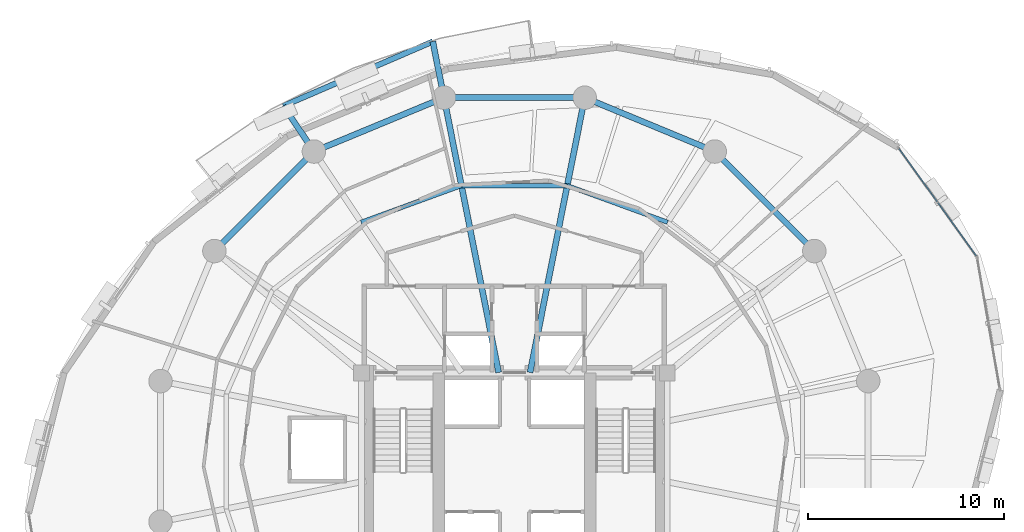
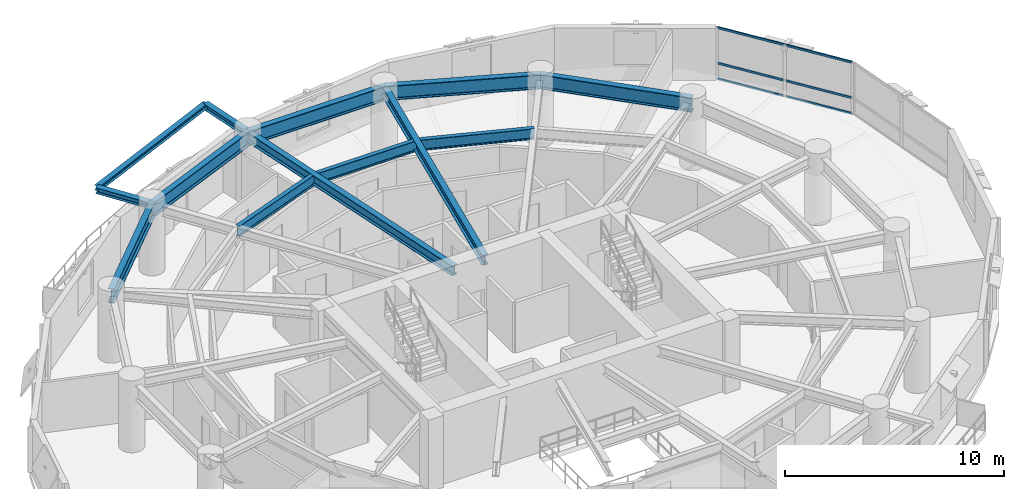
# One storey, part 7 of 14: 13 beams, 6 members, 1 element without a shape of its own.
"""IFC4 building model written with IfcOpenShell, lengths in metres."""

from ifc_helpers import new_model, si_unit, direction, frame, origin, origin_2d, place, context, subcontext, project, spatial, hollow_rectangle, i_section, extrude, material, layer, layer_set, material_profile, profile_set, type_object, element, aggregate, save


model = new_model("IFC4")

# Units and contexts
model_context = context("Model", 3, precision=1e-05, world=origin(), true_north=direction((0.0, 1.0)))
body_context = subcontext(model_context, "Body", "Model", "MODEL_VIEW")
ifc_project = project(units=[si_unit("LENGTHUNIT", "METRE"), si_unit("AREAUNIT", "SQUARE_METRE"), si_unit("VOLUMEUNIT", "CUBIC_METRE"), si_unit("PLANEANGLEUNIT", "RADIAN"), si_unit("MASSUNIT", "GRAM", prefix="KILO"), si_unit("THERMODYNAMICTEMPERATUREUNIT", "KELVIN"), si_unit("POWERUNIT", "WATT")], contexts=[model_context])

# Site, building, storey
site_placement = place(None, origin())
site = spatial("IfcSite", under=ifc_project, at=site_placement, CompositionType="ELEMENT")
building_placement = place(site_placement, origin())
building = spatial("IfcBuilding", under=site, at=building_placement, Name="Ocrelia Relay Tower", CompositionType="ELEMENT")
storey_placement = place(building_placement, frame((0.0, 0.0, 129.800048828125)))
storey = spatial("IfcBuildingStorey", under=building, at=storey_placement, Name="L30", CompositionType="ELEMENT", Elevation=129.800048828125)

# Beams
ifc_material_1 = material(Name="Steel S355", Category="steel")
ifc_material_profile_1 = material_profile(ifc_material_1, i_section(OverallWidth=0.280029296875, OverallDepth=0.27001953125, WebThickness=0.008056640625, FlangeThickness=0.012939453125, FilletRadius=0.02392578125, at=origin_2d()), Name="HEA 280")
ifc_profile_set_1 = profile_set([ifc_material_profile_1], Name="Steel S355")
beam_type_1 = type_object("IfcBeamType", Name="BM-HEA280", PredefinedType="BEAM", material=ifc_profile_set_1)
beam_1_placement = place(storey_placement, frame((29.8408203125, 46.909912109375, 3.5849609375), z_axis=(-0.918313388474, -0.39585416576, 0.0), x_axis=(0.39585416576, -0.918313388474, 0.0)))
element("IfcBeam", 1, at=beam_1_placement, inside=storey, type_object=beam_type_1, Name="L31 Balcony Edge Trimmer Beam B1", PredefinedType="BEAM", context=body_context, shape_type="SweptSolid", body=[
    extrude(i_section(OverallWidth=0.280029296875, OverallDepth=0.27001953125, WebThickness=0.008056640625, FlangeThickness=0.012939453125, FilletRadius=0.02392578125, at=origin_2d()), origin(), (0.0, 0.0, 1.0), 8.2958984375),
])
ifc_material_profile_2 = material_profile(ifc_material_1, i_section(OverallWidth=0.300048828125, OverallDepth=0.330078125, WebThickness=0.009521484375, FlangeThickness=0.0166015625, FilletRadius=0.027099609375, at=origin_2d()), Name="HEA 340")
ifc_profile_set_2 = profile_set([ifc_material_profile_2], Name="Steel S355")
beam_type_2 = type_object("IfcBeamType", Name="BM-HEA340", PredefinedType="BEAM", material=ifc_profile_set_2)
beam_2_placement = place(storey_placement, frame((30.410400390625, 44.04638671875, 3.554931640625), z_axis=(-0.195086850553, 0.980785970914, 0.0), x_axis=(-0.980785970914, -0.195086850553, 0.0)))
element("IfcBeam", 2, at=beam_2_placement, inside=storey, type_object=beam_type_2, Name="L31 Balcony Cantilever Beam B1-1", PredefinedType="BEAM", context=body_context, shape_type="SweptSolid", body=[
    extrude(i_section(OverallWidth=0.300048828125, OverallDepth=0.330078125, WebThickness=0.009521484375, FlangeThickness=0.0166015625, FilletRadius=0.027099609375, at=origin_2d()), origin(), (0.0, 0.0, 1.0), 2.919677734375),
])
beam_3_placement = place(storey_placement, frame((23.777587890625, 41.299072265625, 3.554931640625), z_axis=(-0.555605779259, 0.831445859965, 0.0), x_axis=(-0.831445859965, -0.555605779259, 0.0)))
element("IfcBeam", 3, at=beam_3_placement, inside=storey, type_object=beam_type_2, Name="L31 Balcony Cantilever Beam B1-2", PredefinedType="BEAM", context=body_context, shape_type="SweptSolid", body=[
    extrude(i_section(OverallWidth=0.300048828125, OverallDepth=0.330078125, WebThickness=0.009521484375, FlangeThickness=0.0166015625, FilletRadius=0.027099609375, at=origin_2d()), origin(), (0.0, 0.0, 1.0), 2.798583984375),
])
ifc_material_profile_3 = material_profile(ifc_material_1, i_section(OverallWidth=0.300048828125, OverallDepth=0.550048828125, WebThickness=0.014892578125, FlangeThickness=0.029052734375, FilletRadius=0.027099609375, at=origin_2d()), Name="HEB 550")
ifc_profile_set_3 = profile_set([ifc_material_profile_3], Name="Steel S355")
beam_type_3 = type_object("IfcBeamType", Name="BM-HEB550", PredefinedType="BEAM", material=ifc_profile_set_3)
for number, where, z_axis, x_axis, name in (
    (4, (37.589599609375, 44.04638671875, 3.445068359375), (-0.195094300142, -0.980784489096, 0.0), (0.980784489096, -0.195094300142, 0.0), "L30 Radial Floor Girder R04"),
    (5, (30.410400390625, 44.04638671875, 3.445068359375), (0.195094300142, -0.980784489096, 0.0), (0.980784489096, 0.195094300142, 0.0), "L30 Radial Floor Girder R05"),
):
    element("IfcBeam", number, at=place(storey_placement, frame(where, z_axis=z_axis, x_axis=x_axis)), inside=storey, type_object=beam_type_3, Name=name, PredefinedType="BEAM", context=body_context, shape_type="SweptSolid", body=[
        extrude(i_section(OverallWidth=0.300048828125, OverallDepth=0.550048828125, WebThickness=0.014892578125, FlangeThickness=0.029052734375, FilletRadius=0.027099609375, at=origin_2d()), origin(), (0.0, 0.0, 1.0), 14.291015625),
    ])
ifc_material_profile_4 = material_profile(ifc_material_1, i_section(OverallWidth=0.300048828125, OverallDepth=0.800048828125, WebThickness=0.017578125, FlangeThickness=0.032958984375, FilletRadius=0.030029296875, at=origin_2d()), Name="HEB 800")
ifc_profile_set_4 = profile_set([ifc_material_profile_4], Name="Steel S355")
beam_type_4 = type_object("IfcBeamType", Name="BM-HEB800", PredefinedType="BEAM", material=ifc_profile_set_4)
beam_4_placement = place(storey_placement, frame((49.299072265625, 36.222412109375, 3.320068359375), z_axis=(-0.707106781187, 0.707106781187, 0.0), x_axis=(-0.707106781187, -0.707106781187, 0.0)))
element("IfcBeam", 6, at=beam_4_placement, inside=storey, type_object=beam_type_4, Name="L30 Perimeter Spandrel Beam S02", PredefinedType="BEAM", context=body_context, shape_type="SweptSolid", body=[
    extrude(i_section(OverallWidth=0.300048828125, OverallDepth=0.800048828125, WebThickness=0.017578125, FlangeThickness=0.032958984375, FilletRadius=0.030029296875, at=origin_2d()), origin(), (0.0, 0.0, 1.0), 7.179443359375),
])
for number, where, z_axis, x_axis, name in (
    (7, (44.222412109375, 41.299072265625, 3.320068359375), (-0.923883789366, 0.382673155247, 0.0), (-0.382673155247, -0.923883789366, 0.0), "L30 Perimeter Spandrel Beam S03"),
    (8, (37.589599609375, 44.04638671875, 3.320068359375), (-1.0, 0.0, 0.0), (0.0, -1.0, 0.0), "L30 Perimeter Spandrel Beam S04"),
    (9, (30.410400390625, 44.04638671875, 3.320068359375), (-0.923883789366, -0.382673155247, 0.0), (0.382673155247, -0.923883789366, 0.0), "L30 Perimeter Spandrel Beam S05"),
):
    element("IfcBeam", number, at=place(storey_placement, frame(where, z_axis=z_axis, x_axis=x_axis)), inside=storey, type_object=beam_type_4, Name=name, PredefinedType="BEAM", context=body_context, shape_type="SweptSolid", body=[
        extrude(i_section(OverallWidth=0.300048828125, OverallDepth=0.800048828125, WebThickness=0.017578125, FlangeThickness=0.032958984375, FilletRadius=0.030029296875, at=origin_2d()), origin(), (0.0, 0.0, 1.0), 7.17919921875),
    ])
beam_5_placement = place(storey_placement, frame((23.777587890625, 41.299072265625, 3.320068359375), z_axis=(-0.707106781187, -0.707106781187, 0.0), x_axis=(0.707106781187, -0.707106781187, 0.0)))
element("IfcBeam", 10, at=beam_5_placement, inside=storey, type_object=beam_type_4, Name="L30 Perimeter Spandrel Beam S06", PredefinedType="BEAM", context=body_context, shape_type="SweptSolid", body=[
    extrude(i_section(OverallWidth=0.300048828125, OverallDepth=0.800048828125, WebThickness=0.017578125, FlangeThickness=0.032958984375, FilletRadius=0.030029296875, at=origin_2d()), origin(), (0.0, 0.0, 1.0), 7.179443359375),
])
ifc_material_profile_5 = material_profile(ifc_material_1, i_section(OverallWidth=0.219970703125, OverallDepth=0.60009765625, WebThickness=0.011962890625, FlangeThickness=0.01904296875, FilletRadius=0.02392578125, at=origin_2d()), Name="IPE 600")
ifc_profile_set_5 = profile_set([ifc_material_profile_5], Name="Steel S355")
beam_type_5 = type_object("IfcBeamType", Name="BM-IPE600", PredefinedType="JOIST", material=ifc_profile_set_5)
beam_6_placement = place(storey_placement, frame((41.81298828125, 37.69287109375, 3.419921875), z_axis=(-0.93930687927, 0.34307810562, 0.0), x_axis=(-0.34307810562, -0.93930687927, 0.0)))
element("IfcBeam", 11, at=beam_6_placement, inside=storey, type_object=beam_type_5, Name="L30 Secondary Floor Joist J03", PredefinedType="JOIST", context=body_context, shape_type="SweptSolid", body=[
    extrude(i_section(OverallWidth=0.219970703125, OverallDepth=0.60009765625, WebThickness=0.011962890625, FlangeThickness=0.01904296875, FilletRadius=0.02392578125, at=origin_2d()), origin(), (0.0, 0.0, 1.0), 5.446044921875),
])
beam_7_placement = place(storey_placement, frame((36.697509765625, 39.561279296875, 3.419921875), z_axis=(-1.0, 0.0, 0.0), x_axis=(0.0, -1.0, 0.0)))
element("IfcBeam", 12, at=beam_7_placement, inside=storey, type_object=beam_type_5, Name="L30 Secondary Floor Joist J04", PredefinedType="JOIST", context=body_context, shape_type="SweptSolid", body=[
    extrude(i_section(OverallWidth=0.219970703125, OverallDepth=0.60009765625, WebThickness=0.011962890625, FlangeThickness=0.01904296875, FilletRadius=0.02392578125, at=origin_2d()), origin(), (0.0, 0.0, 1.0), 5.39501953125),
])
beam_8_placement = place(storey_placement, frame((31.302490234375, 39.561279296875, 3.419921875), z_axis=(-0.93930687927, -0.34307810562, 0.0), x_axis=(0.34307810562, -0.93930687927, 0.0)))
element("IfcBeam", 13, at=beam_8_placement, inside=storey, type_object=beam_type_5, Name="L30 Secondary Floor Joist J05", PredefinedType="JOIST", context=body_context, shape_type="SweptSolid", body=[
    extrude(i_section(OverallWidth=0.219970703125, OverallDepth=0.60009765625, WebThickness=0.011962890625, FlangeThickness=0.01904296875, FilletRadius=0.02392578125, at=origin_2d()), origin(), (0.0, 0.0, 1.0), 5.446044921875),
])

# Curtain wall, members
ifc_material_2 = material(Name="Aluminium and solar-control low-E glass", Category="aluminium")
ifc_layer = layer(ifc_material_2, 0.179931640625, Name="Aluminium and solar-control low-E glass")
ifc_layer_set = layer_set([ifc_layer], Name="Aluminium and solar-control low-E glass")
curtain_wall_type = type_object("IfcCurtainWallType", Name="CW-SYS-Z2-SWIT", PredefinedType="NOTDEFINED", material=ifc_layer_set)
curtain_wall_placement = place(storey_placement, origin())
curtain_wall = element("IfcCurtainWall", 14, at=curtain_wall_placement, inside=storey, type_object=curtain_wall_type, Name="L30 Elliptical Tower Curtain Wall Bay 01", PredefinedType="NOTDEFINED")
ifc_material_3 = material(Name="Anodised bronze aluminium", Category="aluminium")
ifc_material_profile_6 = material_profile(ifc_material_3, hollow_rectangle(XDim=0.06005859375, YDim=0.1201171875, WallThickness=0.0048828125, at=origin_2d()), Name="CW-TRN-120x60")
ifc_profile_set_6 = profile_set([ifc_material_profile_6], Name="Anodised bronze aluminium")
member_type = type_object("IfcMemberType", Name="CW-SYS-Z2-SWIT-TRN", PredefinedType="USERDEFINED", material=ifc_profile_set_6)
member_1_placement = place(storey_placement, frame((57.558837890625, 35.977294921875, 0.030029296875), z_axis=(-0.584543862406, 0.811362109618, 0.0), x_axis=(-0.811362109618, -0.584543862406, 0.0)))
member_1 = element("IfcMember", 15, at=member_1_placement, type_object=member_type, Name="CW-Z2 transom 1.1", ObjectType="TRANSOM", PredefinedType="USERDEFINED", context=body_context, shape_type="SweptSolid", body=[
    extrude(hollow_rectangle(XDim=0.06005859375, YDim=0.1201171875, WallThickness=0.0048828125, at=origin_2d()), origin(), (0.0, 0.0, 1.0), 3.334716796875),
])
member_2_placement = place(storey_placement, frame((57.558837890625, 35.977294921875, 0.89990234375), z_axis=(-0.584543862406, 0.811362109618, 0.0), x_axis=(-0.811362109618, -0.584543862406, 0.0)))
member_2 = element("IfcMember", 16, at=member_2_placement, type_object=member_type, Name="CW-Z2 transom 1.2", ObjectType="TRANSOM", PredefinedType="USERDEFINED", context=body_context, shape_type="SweptSolid", body=[
    extrude(hollow_rectangle(XDim=0.06005859375, YDim=0.1201171875, WallThickness=0.0048828125, at=origin_2d()), origin(), (0.0, 0.0, 1.0), 3.334716796875),
])
member_3_placement = place(storey_placement, frame((57.558837890625, 35.977294921875, 2.869873046875), z_axis=(-0.584543862406, 0.811362109618, 0.0), x_axis=(-0.811362109618, -0.584543862406, 0.0)))
member_3 = element("IfcMember", 17, at=member_3_placement, type_object=member_type, Name="CW-Z2 transom 1.3", ObjectType="TRANSOM", PredefinedType="USERDEFINED", context=body_context, shape_type="SweptSolid", body=[
    extrude(hollow_rectangle(XDim=0.06005859375, YDim=0.1201171875, WallThickness=0.0048828125, at=origin_2d()), origin(), (0.0, 0.0, 1.0), 3.334716796875),
])
member_4_placement = place(storey_placement, frame((55.56884765625, 38.739501953125, 0.030029296875), z_axis=(-0.584543862406, 0.811362109618, 0.0), x_axis=(-0.811362109618, -0.584543862406, 0.0)))
member_4 = element("IfcMember", 18, at=member_4_placement, type_object=member_type, Name="CW-Z2 transom 2.1", ObjectType="TRANSOM", PredefinedType="USERDEFINED", context=body_context, shape_type="SweptSolid", body=[
    extrude(hollow_rectangle(XDim=0.06005859375, YDim=0.1201171875, WallThickness=0.0048828125, at=origin_2d()), origin(), (0.0, 0.0, 1.0), 3.334716796875),
])
member_5_placement = place(storey_placement, frame((55.56884765625, 38.739501953125, 0.89990234375), z_axis=(-0.584543862406, 0.811362109618, 0.0), x_axis=(-0.811362109618, -0.584543862406, 0.0)))
member_5 = element("IfcMember", 19, at=member_5_placement, type_object=member_type, Name="CW-Z2 transom 2.2", ObjectType="TRANSOM", PredefinedType="USERDEFINED", context=body_context, shape_type="SweptSolid", body=[
    extrude(hollow_rectangle(XDim=0.06005859375, YDim=0.1201171875, WallThickness=0.0048828125, at=origin_2d()), origin(), (0.0, 0.0, 1.0), 3.334716796875),
])
member_6_placement = place(storey_placement, frame((55.56884765625, 38.739501953125, 2.869873046875), z_axis=(-0.584543862406, 0.811362109618, 0.0), x_axis=(-0.811362109618, -0.584543862406, 0.0)))
member_6 = element("IfcMember", 20, at=member_6_placement, type_object=member_type, Name="CW-Z2 transom 2.3", ObjectType="TRANSOM", PredefinedType="USERDEFINED", context=body_context, shape_type="SweptSolid", body=[
    extrude(hollow_rectangle(XDim=0.06005859375, YDim=0.1201171875, WallThickness=0.0048828125, at=origin_2d()), origin(), (0.0, 0.0, 1.0), 3.334716796875),
])
aggregate(curtain_wall, [member_1, member_2, member_3, member_4, member_5, member_6])

save(model, "model.ifc")
